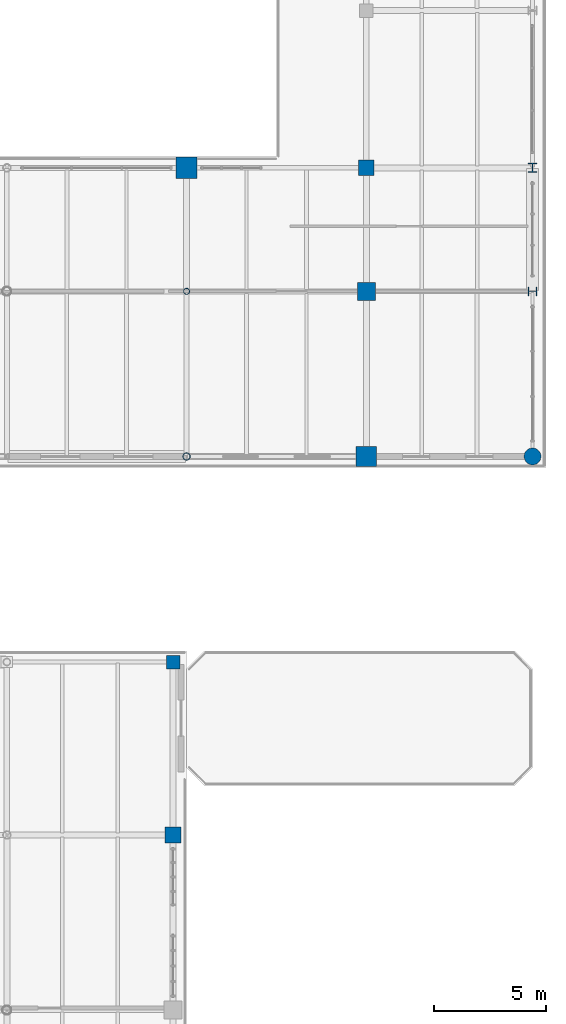
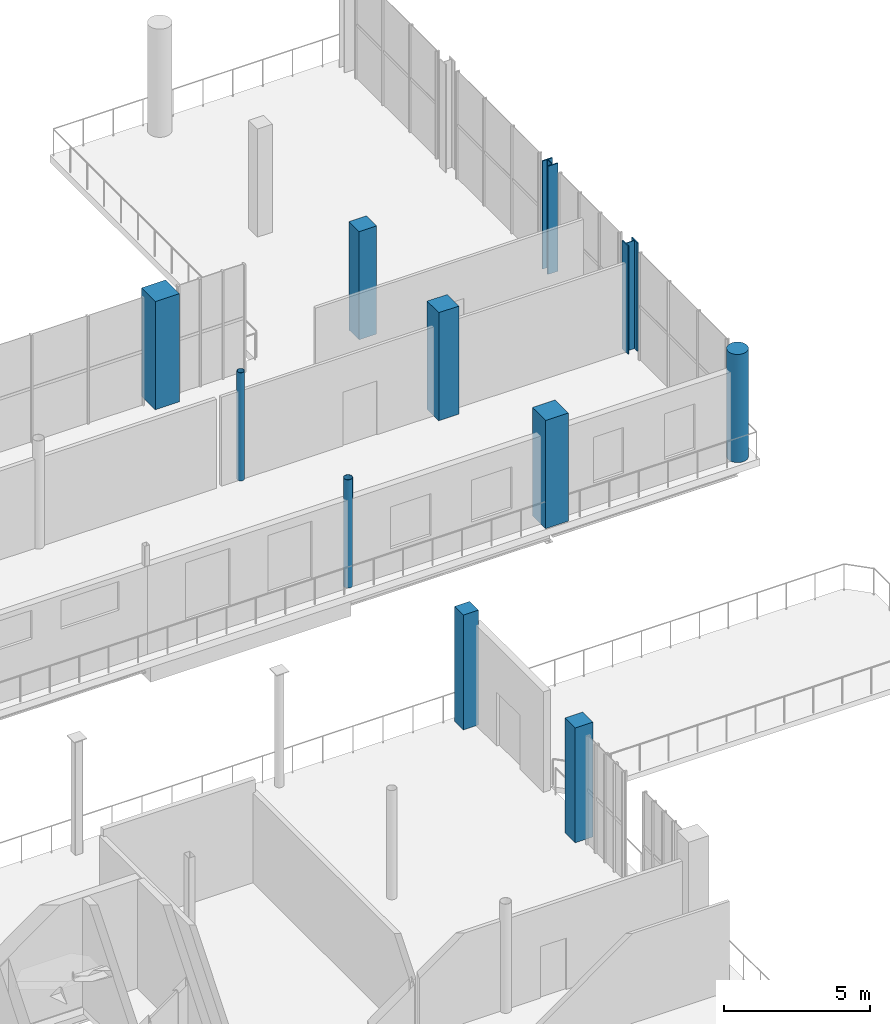
# One storey, part 28 of 93: 11 columns.
"""IFC4 building model written with IfcOpenShell, lengths in metres."""

from ifc_helpers import new_model, si_unit, direction, frame, origin, origin_2d, place, context, subcontext, project, spatial, rectangle, circle, hollow_circle, i_section, extrude, material, material_profile, profile_set, type_object, element, save


model = new_model("IFC4")

# Units and contexts
model_context = context("Model", 3, precision=1e-05, world=origin(), true_north=direction((0.0, 1.0)))
body_context = subcontext(model_context, "Body", "Model", "MODEL_VIEW")
ifc_project = project(units=[si_unit("LENGTHUNIT", "METRE"), si_unit("AREAUNIT", "SQUARE_METRE"), si_unit("VOLUMEUNIT", "CUBIC_METRE"), si_unit("PLANEANGLEUNIT", "RADIAN"), si_unit("MASSUNIT", "GRAM", prefix="KILO")], contexts=[model_context])

# Site, building, storey
site_placement = place(None, origin())
site = spatial("IfcSite", under=ifc_project, at=site_placement, CompositionType="ELEMENT")
building_placement = place(site_placement, origin())
building = spatial("IfcBuilding", under=site, at=building_placement, Name="Brisemont Oceanarium", CompositionType="ELEMENT")
storey_placement = place(building_placement, frame((0.0, 0.0, 5.39990234375)))
storey = spatial("IfcBuildingStorey", under=building, at=storey_placement, Name="L01", CompositionType="ELEMENT", Elevation=5.39990234375)

# Columns
ifc_material_1 = material(Name="Structural Steel ASTM A500 Gr.C", Category="steel")
ifc_material_profile_1 = material_profile(ifc_material_1, hollow_circle(Radius=0.136474609375, WallThickness=0.01171875, at=origin_2d()), Name="HSS10.750X0.500")
ifc_profile_set_1 = profile_set([ifc_material_profile_1], Name="Structural Steel ASTM A500 Gr.C")
column_type_1 = type_object("IfcColumnType", Name="COL-CHS10", PredefinedType="COLUMN", material=ifc_profile_set_1)
column_1_placement = place(storey_placement, frame((144.0, 88.0, 0.0), z_axis=(0.0, 0.0, 1.0), x_axis=(0.0, 1.0, 0.0)))
element("IfcColumn", 1, at=column_1_placement, inside=storey, type_object=column_type_1, Name="V6 L01 column (4,1)", PredefinedType="COLUMN", context=body_context, shape_type="SweptSolid", body=[
    extrude(hollow_circle(Radius=0.136474609375, WallThickness=0.01171875, at=origin_2d()), origin(), (0.0, 0.0, 1.0), 4.52001953125),
])
ifc_material_2 = material(Name="Structural Steel ASTM A500 Gr.C", Category="steel")
ifc_material_profile_2 = material_profile(ifc_material_2, hollow_circle(Radius=0.162109375, WallThickness=0.01171875, at=origin_2d()), Name="HSS12.750X0.500")
ifc_profile_set_2 = profile_set([ifc_material_profile_2], Name="Structural Steel ASTM A500 Gr.C")
column_type_2 = type_object("IfcColumnType", Name="COL-CHS12", PredefinedType="COLUMN", material=ifc_profile_set_2)
column_2_placement = place(storey_placement, frame((144.0, 80.64990234375, 0.0), z_axis=(0.0, 0.0, 1.0), x_axis=(1.0, 0.0, 0.0)))
element("IfcColumn", 2, at=column_2_placement, inside=storey, type_object=column_type_2, Name="V6 L01 column (4,0)", PredefinedType="COLUMN", context=body_context, shape_type="SweptSolid", body=[
    extrude(hollow_circle(Radius=0.162109375, WallThickness=0.01171875, at=origin_2d()), origin(), (0.0, 0.0, 1.0), 4.52001953125),
])
ifc_material_3 = material(Name="Concrete C35/45", Category="concrete")
ifc_material_profile_3 = material_profile(ifc_material_3, rectangle(XDim=0.60009765625, YDim=0.60009765625, at=origin_2d()), Name="RC-COL-600X600")
ifc_profile_set_3 = profile_set([ifc_material_profile_3], Name="Concrete C35/45")
column_type_3 = type_object("IfcColumnType", Name="COL-RC600", PredefinedType="COLUMN", material=ifc_profile_set_3)
column_3_placement = place(storey_placement, frame((143.39990234375, 71.5, 0.0), z_axis=(0.0, 0.0, 1.0), x_axis=(0.0, 1.0, 0.0)))
element("IfcColumn", 3, at=column_3_placement, inside=storey, type_object=column_type_3, Name="V5E L01 column (4,5)", PredefinedType="COLUMN", context=body_context, shape_type="SweptSolid", body=[
    extrude(rectangle(XDim=0.60009765625, YDim=0.60009765625, at=origin_2d()), origin(), (0.0, 0.0, 1.0), 4.800048828125),
])
ifc_material_4 = material(Name="Concrete C35/45", Category="concrete")
ifc_material_profile_4 = material_profile(ifc_material_4, rectangle(XDim=0.699951171875, YDim=0.699951171875, at=origin_2d()), Name="RC-COL-700X700")
ifc_profile_set_4 = profile_set([ifc_material_profile_4], Name="Concrete C35/45")
column_type_4 = type_object("IfcColumnType", Name="COL-RC700", PredefinedType="COLUMN", material=ifc_profile_set_4)
column_4_placement = place(storey_placement, frame((143.39990234375, 63.800048828125, 0.0), z_axis=(0.0, 0.0, 1.0), x_axis=(1.0, 0.0, 0.0)))
element("IfcColumn", 4, at=column_4_placement, inside=storey, type_object=column_type_4, Name="V5E L01 column (4,4)", PredefinedType="COLUMN", context=body_context, shape_type="SweptSolid", body=[
    extrude(rectangle(XDim=0.699951171875, YDim=0.699951171875, at=origin_2d()), origin(), (0.0, 0.0, 1.0), 4.800048828125),
])
column_5_placement = place(storey_placement, frame((152.0, 93.5, 0.0), z_axis=(0.0, 0.0, 1.0), x_axis=(0.0, 1.0, 0.0)))
element("IfcColumn", 5, at=column_5_placement, inside=storey, type_object=column_type_4, Name="V6 L01 column (5,2)", PredefinedType="COLUMN", context=body_context, shape_type="SweptSolid", body=[
    extrude(rectangle(XDim=0.699951171875, YDim=0.699951171875, at=origin_2d()), origin(), (0.0, 0.0, 1.0), 4.52001953125),
])
ifc_material_5 = material(Name="Concrete C40/50", Category="concrete")
ifc_material_profile_5 = material_profile(ifc_material_5, rectangle(XDim=0.800048828125, YDim=0.800048828125, at=origin_2d()), Name="RC-COL-800X800")
ifc_profile_set_5 = profile_set([ifc_material_profile_5], Name="Concrete C40/50")
column_type_5 = type_object("IfcColumnType", Name="COL-RC800", PredefinedType="COLUMN", material=ifc_profile_set_5)
column_6_placement = place(storey_placement, frame((152.0, 88.0, 0.0), z_axis=(0.0, 0.0, 1.0), x_axis=(1.0, 0.0, 0.0)))
element("IfcColumn", 6, at=column_6_placement, inside=storey, type_object=column_type_5, Name="V6 L01 column (5,1)", PredefinedType="COLUMN", context=body_context, shape_type="SweptSolid", body=[
    extrude(rectangle(XDim=0.800048828125, YDim=0.800048828125, at=origin_2d()), origin(), (0.0, 0.0, 1.0), 4.52001953125),
])
ifc_material_6 = material(Name="Concrete C40/50", Category="concrete")
ifc_material_profile_6 = material_profile(ifc_material_6, rectangle(XDim=0.89990234375, YDim=0.89990234375, at=origin_2d()), Name="RC-COL-900X900")
ifc_profile_set_6 = profile_set([ifc_material_profile_6], Name="Concrete C40/50")
column_type_6 = type_object("IfcColumnType", Name="COL-RC900", PredefinedType="COLUMN", material=ifc_profile_set_6)
column_7_placement = place(storey_placement, frame((152.0, 80.64990234375, 0.0), z_axis=(0.0, 0.0, 1.0), x_axis=(0.0, 1.0, 0.0)))
element("IfcColumn", 7, at=column_7_placement, inside=storey, type_object=column_type_6, Name="V6 L01 column (5,0)", PredefinedType="COLUMN", context=body_context, shape_type="SweptSolid", body=[
    extrude(rectangle(XDim=0.89990234375, YDim=0.89990234375, at=origin_2d()), origin(), (0.0, 0.0, 1.0), 4.52001953125),
])
ifc_material_7 = material(Name="Concrete C40/50", Category="concrete")
ifc_material_profile_7 = material_profile(ifc_material_7, rectangle(XDim=0.949951171875, YDim=0.949951171875, at=origin_2d()), Name="RC-COL-950X950")
ifc_profile_set_7 = profile_set([ifc_material_profile_7], Name="Concrete C40/50")
column_type_7 = type_object("IfcColumnType", Name="COL-RC950", PredefinedType="COLUMN", material=ifc_profile_set_7)
column_8_placement = place(storey_placement, frame((144.0, 93.5, 0.0), z_axis=(0.0, 0.0, 1.0), x_axis=(1.0, 0.0, 0.0)))
element("IfcColumn", 8, at=column_8_placement, inside=storey, type_object=column_type_7, Name="V6 L01 column (4,2)", PredefinedType="COLUMN", context=body_context, shape_type="SweptSolid", body=[
    extrude(rectangle(XDim=0.949951171875, YDim=0.949951171875, at=origin_2d()), origin(), (0.0, 0.0, 1.0), 4.52001953125),
])
ifc_material_8 = material(Name="Concrete C40/50", Category="concrete")
ifc_material_profile_8 = material_profile(ifc_material_8, circle(Radius=0.375, at=origin_2d()), Name="RC-COL-D750")
ifc_profile_set_8 = profile_set([ifc_material_profile_8], Name="Concrete C40/50")
column_type_8 = type_object("IfcColumnType", Name="COL-RCD750", PredefinedType="COLUMN", material=ifc_profile_set_8)
column_9_placement = place(storey_placement, frame((159.39990234375, 80.64990234375, 0.0), z_axis=(0.0, 0.0, 1.0), x_axis=(1.0, 0.0, 0.0)))
element("IfcColumn", 9, at=column_9_placement, inside=storey, type_object=column_type_8, Name="V6 L01 column (6,0)", PredefinedType="COLUMN", context=body_context, shape_type="SweptSolid", body=[
    extrude(circle(Radius=0.375, at=origin_2d()), origin(), (0.0, 0.0, 1.0), 4.52001953125),
])
ifc_material_9 = material(Name="Structural Steel ASTM A992 Gr.50", Category="steel")
ifc_material_profile_9 = material_profile(ifc_material_9, i_section(OverallWidth=0.404052734375, OverallDepth=0.406982421875, WebThickness=0.027099609375, FlangeThickness=0.043701171875, FilletRadius=0.014892578125, at=origin_2d()), Name="W14X233")
ifc_profile_set_9 = profile_set([ifc_material_profile_9], Name="Structural Steel ASTM A992 Gr.50")
column_type_9 = type_object("IfcColumnType", Name="COL-W14X233", PredefinedType="COLUMN", material=ifc_profile_set_9)
column_10_placement = place(storey_placement, frame((159.39990234375, 93.5, 0.0), z_axis=(0.0, 0.0, 1.0), x_axis=(1.0, 0.0, 0.0)))
element("IfcColumn", 10, at=column_10_placement, inside=storey, type_object=column_type_9, Name="V6 L01 column (6,2)", PredefinedType="COLUMN", context=body_context, shape_type="SweptSolid", body=[
    extrude(i_section(OverallWidth=0.404052734375, OverallDepth=0.406982421875, WebThickness=0.027099609375, FlangeThickness=0.043701171875, FilletRadius=0.014892578125, at=origin_2d()), origin(), (0.0, 0.0, 1.0), 4.52001953125),
])
ifc_material_10 = material(Name="Structural Steel ASTM A992 Gr.50", Category="steel")
ifc_material_profile_10 = material_profile(ifc_material_10, i_section(OverallWidth=0.406005859375, OverallDepth=0.416015625, WebThickness=0.02978515625, FlangeThickness=0.048095703125, FilletRadius=0.014892578125, at=origin_2d()), Name="W14X257")
ifc_profile_set_10 = profile_set([ifc_material_profile_10], Name="Structural Steel ASTM A992 Gr.50")
column_type_10 = type_object("IfcColumnType", Name="COL-W14X257", PredefinedType="COLUMN", material=ifc_profile_set_10)
column_11_placement = place(storey_placement, frame((159.39990234375, 88.0, 0.0), z_axis=(0.0, 0.0, 1.0), x_axis=(0.0, 1.0, 0.0)))
element("IfcColumn", 11, at=column_11_placement, inside=storey, type_object=column_type_10, Name="V6 L01 column (6,1)", PredefinedType="COLUMN", context=body_context, shape_type="SweptSolid", body=[
    extrude(i_section(OverallWidth=0.406005859375, OverallDepth=0.416015625, WebThickness=0.02978515625, FlangeThickness=0.048095703125, FilletRadius=0.014892578125, at=origin_2d()), origin(), (0.0, 0.0, 1.0), 4.52001953125),
])

save(model, "model.ifc")
